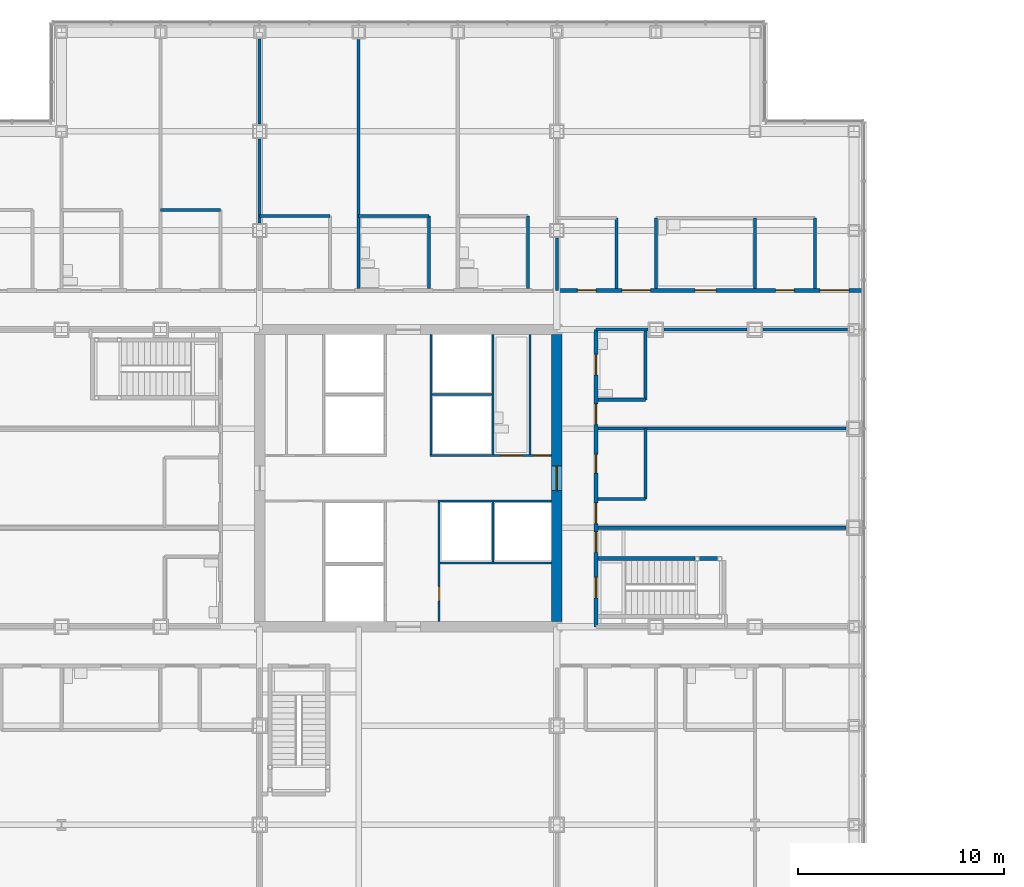
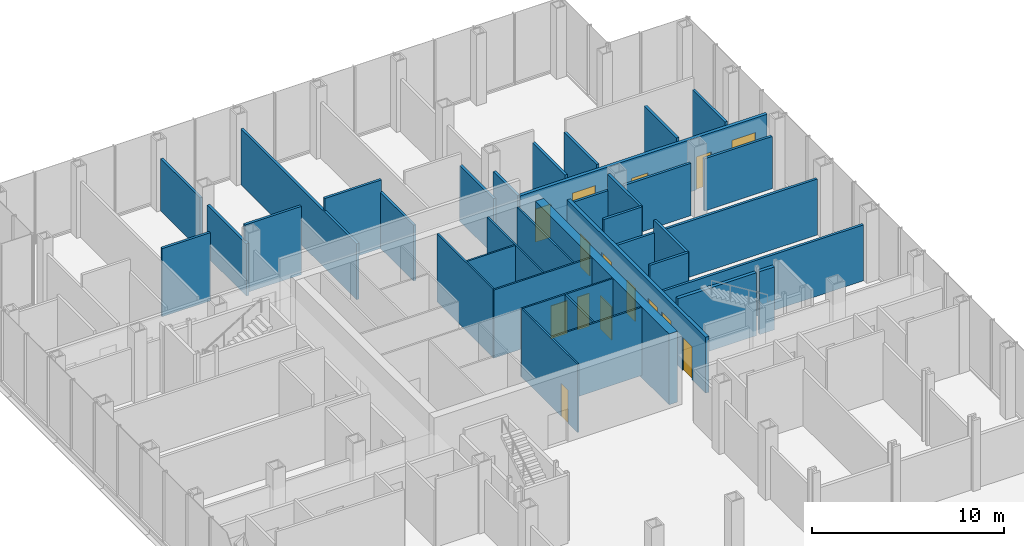
# One storey, part 22 of 25: 36 walls, 15 doors, 15 openings.
"""IFC4 building model written with IfcOpenShell, lengths in metres."""

from ifc_helpers import new_model, si_unit, direction, frame, frame_2d, origin, place, context, subcontext, project, spatial, rectangle, extrude, material, layer, layer_set, type_object, element, fill, save


model = new_model("IFC4")

# Units and contexts
model_context = context("Model", 3, precision=1e-05, world=origin(), true_north=direction((0.0, 1.0)))
body_context = subcontext(model_context, "Body", "Model", "MODEL_VIEW")
ifc_project = project(units=[si_unit("LENGTHUNIT", "METRE"), si_unit("AREAUNIT", "SQUARE_METRE"), si_unit("VOLUMEUNIT", "CUBIC_METRE"), si_unit("PLANEANGLEUNIT", "RADIAN"), si_unit("MASSUNIT", "GRAM", prefix="KILO")], contexts=[model_context])

# Site, building, storey
site_placement = place(None, origin())
site = spatial("IfcSite", under=ifc_project, at=site_placement, CompositionType="ELEMENT")
building_placement = place(site_placement, origin())
building = spatial("IfcBuilding", under=site, at=building_placement, Name="Kvirike Care Tower", CompositionType="ELEMENT")
storey_placement = place(building_placement, frame((0.0, 0.0, 9.0)))
storey = spatial("IfcBuildingStorey", under=building, at=storey_placement, Name="L02", CompositionType="ELEMENT", Elevation=9.0)

# Walls
ifc_material_1 = material(Name="Plasterboard partition", Category="gypsum")
ifc_layer_1 = layer(ifc_material_1, 0.14990234375)
ifc_layer_set_1 = layer_set([ifc_layer_1], Name="CLINIC PARTITION 150")
wall_type_1 = type_object("IfcWallType", Name="CLINIC PARTITION 150", PredefinedType="PARTITIONING", material=ifc_layer_set_1)
wall_1_placement = place(storey_placement, frame((12.5, 49.0, 0.0), z_axis=(0.0, 0.0, 1.0), x_axis=(-1.0, 0.0, 0.0)))
element("IfcWall", 1, at=wall_1_placement, inside=storey, type_object=wall_type_1, Name="Clinic Partition 150 L02", PredefinedType="PARTITIONING", context=body_context, shape_type="SweptSolid", body=[
    extrude(rectangle(XDim=2.89990234375, YDim=0.14990234375, at=frame_2d((1.449951171875, 0.0))), origin(), (0.0, 0.0, 1.0), 4.330078125),
])
for number, where, z_axis, x_axis, name in (
    (2, (27.39990234375, 48.699951171875, 0.0), (0.0, 0.0, 1.0), (0.0, -1.0, 0.0), "Clinic Partition 150 L02"),
    (3, (22.60009765625, 48.699951171875, 0.0), (0.0, 0.0, 1.0), (0.0, -1.0, 0.0), "Clinic Partition 150 L02"),
):
    element("IfcWall", number, at=place(storey_placement, frame(where, z_axis=z_axis, x_axis=x_axis)), inside=storey, type_object=wall_type_1, Name=name, PredefinedType="PARTITIONING", context=body_context, shape_type="SweptSolid", body=[
        extrude(rectangle(XDim=3.5, YDim=0.14990234375, at=frame_2d((1.75, 0.0))), origin(), (0.0, 0.0, 1.0), 3.550048828125),
    ])
for number, where, z_axis, x_axis, name in (
    (4, (22.60009765625, 48.699951171875, 0.0), (0.0, 0.0, 1.0), (-1.0, 0.0, 0.0), "Clinic Partition 150 L02"),
    (5, (17.800048828125, 48.699951171875, 0.0), (0.0, 0.0, 1.0), (-1.0, 0.0, 0.0), "Clinic Partition 150 L02"),
):
    element("IfcWall", number, at=place(storey_placement, frame(where, z_axis=z_axis, x_axis=x_axis)), inside=storey, type_object=wall_type_1, Name=name, PredefinedType="PARTITIONING", context=body_context, shape_type="SweptSolid", body=[
        extrude(rectangle(XDim=3.400146484375, YDim=0.14990234375, at=frame_2d((1.7001953125, 0.0))), origin(), (0.0, 0.0, 1.0), 4.330078125),
    ])
wall_2_placement = place(storey_placement, frame((19.199951171875, 57.2548828125, 0.0), z_axis=(0.0, 0.0, 1.0), x_axis=(0.0, -1.0, 0.0)))
element("IfcWall", 6, at=wall_2_placement, inside=storey, type_object=wall_type_1, Name="Clinic Partition 150 L02", PredefinedType="PARTITIONING", context=body_context, shape_type="SweptSolid", body=[
    extrude(rectangle(XDim=12.054931640625, YDim=0.14990234375, at=frame_2d((6.02734375, 0.0))), origin(), (0.0, 0.0, 1.0), 3.550048828125),
])
wall_3_placement = place(storey_placement, frame((33.10009765625, 35.0, 0.0), z_axis=(0.0, 0.0, 1.0), x_axis=(-1.0, 0.0, 0.0)))
element("IfcWall", 7, at=wall_3_placement, inside=storey, type_object=wall_type_1, Name="Clinic Partition 150 L02", PredefinedType="PARTITIONING", context=body_context, shape_type="SweptSolid", body=[
    extrude(rectangle(XDim=2.300048828125, YDim=0.14990234375, at=frame_2d((1.14990234375, 0.0))), origin(), (0.0, 0.0, 1.0), 4.330078125),
])
wall_4_placement = place(storey_placement, frame((33.10009765625, 35.0, 0.0), z_axis=(0.0, 0.0, 1.0), x_axis=(0.0, 1.0, 0.0)))
element("IfcWall", 8, at=wall_4_placement, inside=storey, type_object=wall_type_1, Name="Clinic Partition 150 L02", PredefinedType="PARTITIONING", context=body_context, shape_type="SweptSolid", body=[
    extrude(rectangle(XDim=3.39990234375, YDim=0.14990234375, at=frame_2d((1.699951171875, 0.0))), origin(), (0.0, 0.0, 1.0), 4.330078125),
])
wall_5_placement = place(storey_placement, frame((33.10009765625, 39.800048828125, 0.0), z_axis=(0.0, 0.0, 1.0), x_axis=(-1.0, 0.0, 0.0)))
element("IfcWall", 9, at=wall_5_placement, inside=storey, type_object=wall_type_1, Name="Clinic Partition 150 L02", PredefinedType="PARTITIONING", context=body_context, shape_type="SweptSolid", body=[
    extrude(rectangle(XDim=2.300048828125, YDim=0.14990234375, at=frame_2d((1.14990234375, 0.0))), origin(), (0.0, 0.0, 1.0), 4.330078125),
])
wall_6_placement = place(storey_placement, frame((33.10009765625, 39.800048828125, 0.0), z_axis=(0.0, 0.0, 1.0), x_axis=(0.0, 1.0, 0.0)))
element("IfcWall", 10, at=wall_6_placement, inside=storey, type_object=wall_type_1, Name="Clinic Partition 150 L02", PredefinedType="PARTITIONING", context=body_context, shape_type="SweptSolid", body=[
    extrude(rectangle(XDim=3.39990234375, YDim=0.14990234375, at=frame_2d((1.699951171875, 0.0))), origin(), (0.0, 0.0, 1.0), 4.330078125),
])
for number, where, z_axis, x_axis, name in (
    (11, (42.804931640625, 33.60009765625, 0.0), (0.0, 0.0, 1.0), (-1.0, 0.0, 0.0), "Clinic Partition 150 L02"),
    (12, (42.804931640625, 38.39990234375, 0.0), (0.0, 0.0, 1.0), (-1.0, 0.0, 0.0), "Clinic Partition 150 L02"),
):
    element("IfcWall", number, at=place(storey_placement, frame(where, z_axis=z_axis, x_axis=x_axis)), inside=storey, type_object=wall_type_1, Name=name, PredefinedType="PARTITIONING", context=body_context, shape_type="SweptSolid", body=[
        extrude(rectangle(XDim=12.0048828125, YDim=0.14990234375, at=frame_2d((6.00244140625, 0.0))), origin(), (0.0, 0.0, 1.0), 3.550048828125),
    ])
for number, where, z_axis, x_axis, name in (
    (13, (33.60009765625, 48.60009765625, 0.0), (0.0, 0.0, 1.0), (0.0, -1.0, 0.0), "Clinic Partition 150 L02"),
    (14, (41.300048828125, 48.60009765625, 0.0), (0.0, 0.0, 1.0), (0.0, -1.0, 0.0), "Clinic Partition 150 L02"),
    (15, (38.39990234375, 48.60009765625, 0.0), (0.0, 0.0, 1.0), (0.0, -1.0, 0.0), "Clinic Partition 150 L02"),
    (16, (31.699951171875, 48.60009765625, 0.0), (0.0, 0.0, 1.0), (0.0, -1.0, 0.0), "Clinic Partition 150 L02"),
):
    element("IfcWall", number, at=place(storey_placement, frame(where, z_axis=z_axis, x_axis=x_axis)), inside=storey, type_object=wall_type_1, Name=name, PredefinedType="PARTITIONING", context=body_context, shape_type="SweptSolid", body=[
        extrude(rectangle(XDim=3.400146484375, YDim=0.14990234375, at=frame_2d((1.7001953125, 0.0))), origin(), (0.0, 0.0, 1.0), 3.550048828125),
    ])
wall_7_placement = place(storey_placement, frame((14.39990234375, 48.3701171875, 0.0), z_axis=(0.0, 0.0, 1.0), x_axis=(0.0, 1.0, 0.0)))
element("IfcWall", 17, at=wall_7_placement, inside=storey, type_object=wall_type_1, Name="Clinic Partition 150 L02", PredefinedType="PARTITIONING", context=body_context, shape_type="SweptSolid", body=[
    extrude(rectangle(XDim=4.059814453125, YDim=0.14990234375, at=frame_2d((2.02978515625, 0.0))), origin(), (0.0, 0.0, 1.0), 3.320068359375),
])
wall_8_placement = place(storey_placement, frame((14.39990234375, 53.169921875, 0.0), z_axis=(0.0, 0.0, 1.0), x_axis=(0.0, 1.0, 0.0)))
element("IfcWall", 18, at=wall_8_placement, inside=storey, type_object=wall_type_1, Name="Clinic Partition 150 L02", PredefinedType="PARTITIONING", context=body_context, shape_type="SweptSolid", body=[
    extrude(rectangle(XDim=4.110107421875, YDim=0.14990234375, at=frame_2d((2.05517578125, 0.0))), origin(), (0.0, 0.0, 1.0), 3.320068359375),
])
wall_9_placement = place(storey_placement, frame((28.800048828125, 45.10009765625, 0.0), z_axis=(0.0, 0.0, 1.0), x_axis=(0.0, 1.0, 0.0)))
element("IfcWall", 19, at=wall_9_placement, inside=storey, type_object=wall_type_1, Name="Clinic Partition 150 L02", PredefinedType="PARTITIONING", context=body_context, shape_type="SweptSolid", body=[
    extrude(rectangle(XDim=2.52978515625, YDim=0.14990234375, at=frame_2d((1.264892578125, 0.0))), origin(), (0.0, 0.0, 1.0), 3.320068359375),
])
wall_10_placement = place(storey_placement, frame((42.8798828125, 43.199951171875, 0.0), z_axis=(0.0, 0.0, 1.0), x_axis=(-1.0, 0.0, 0.0)))
element("IfcWall", 20, at=wall_10_placement, inside=storey, type_object=wall_type_1, Name="Clinic Partition 150 L02", PredefinedType="PARTITIONING", context=body_context, shape_type="SweptSolid", body=[
    extrude(rectangle(XDim=4.0849609375, YDim=0.14990234375, at=frame_2d((2.04248046875, 0.0))), origin(), (0.0, 0.0, 1.0), 3.320068359375),
])
wall_11_placement = place(storey_placement, frame((38.0048828125, 43.199951171875, 0.0), z_axis=(0.0, 0.0, 1.0), x_axis=(-1.0, 0.0, 0.0)))
element("IfcWall", 21, at=wall_11_placement, inside=storey, type_object=wall_type_1, Name="Clinic Partition 150 L02", PredefinedType="PARTITIONING", context=body_context, shape_type="SweptSolid", body=[
    extrude(rectangle(XDim=4.009765625, YDim=0.14990234375, at=frame_2d((2.0048828125, 0.0))), origin(), (0.0, 0.0, 1.0), 3.320068359375),
])
wall_12_placement = place(storey_placement, frame((33.205078125, 43.199951171875, 0.0), z_axis=(0.0, 0.0, 1.0), x_axis=(-1.0, 0.0, 0.0)))
element("IfcWall", 22, at=wall_12_placement, inside=storey, type_object=wall_type_1, Name="Clinic Partition 150 L02", PredefinedType="PARTITIONING", context=body_context, shape_type="SweptSolid", body=[
    extrude(rectangle(XDim=2.505126953125, YDim=0.14990234375, at=frame_2d((1.25244140625, 0.0))), origin(), (0.0, 0.0, 1.0), 3.320068359375),
])

# Wall, opening, door
ifc_material_2 = material(Name="Concrete C60/75", Category="concrete")
ifc_layer_2 = layer(ifc_material_2, 0.5)
ifc_layer_set_2 = layer_set([ifc_layer_2], Name="CORE WALL 500 C60-75")
wall_type_2 = type_object("IfcWallType", Name="CORE WALL 500 C60-75", PredefinedType="SHEAR", material=ifc_layer_set_2)
wall_13_placement = place(storey_placement, frame((28.800048828125, 29.050048828125, -0.169921875), z_axis=(0.0, 0.0, 1.0), x_axis=(0.0, 1.0, 0.0)))
wall_13 = element("IfcWall", 23, at=wall_13_placement, inside=storey, type_object=wall_type_2, Name="Core wall E L02", PredefinedType="SHEAR", context=body_context, shape_type="SweptSolid", body=[
    extrude(rectangle(XDim=13.89990234375, YDim=0.5, at=frame_2d((6.949951171875, 0.0))), origin(), (0.0, 0.0, 1.0), 4.5),
])
opening_1_placement = place(wall_13_placement, frame((6.35009765625, 0.0, 0.169921875)))
opening_1 = element("IfcOpeningElement", 24, at=opening_1_placement, cuts=wall_13, Name="Opening 02-059", PredefinedType="OPENING", context=body_context, shape_type="SweptSolid", body=[
    extrude(rectangle(XDim=1.199951171875, YDim=2.10009765625, at=frame_2d((0.60009765625, 1.050048828125))), frame((0.0, 0.260498046875, 0.0), z_axis=(0.0, -1.0, 0.0), x_axis=(1.0, 0.0, 0.0)), (0.0, 0.0, 1.0), 0.52099609375),
])
ifc_material_3 = material(Name="Timber door set", Category="wood")
door_type_1 = type_object("IfcDoorType", Name="CORE DOOR 1200", OperationType="SINGLE_SWING_LEFT", PredefinedType="DOOR", material=ifc_material_3)
door_1_placement = place(opening_1_placement, origin())
door_1 = element("IfcDoor", 25, at=door_1_placement, inside=storey, type_object=door_type_1, Name="Core door E L02", OperationType="SINGLE_SWING_LEFT", OverallHeight=2.10009765625, OverallWidth=1.199951171875, PredefinedType="DOOR", context=body_context, shape_type="SweptSolid", body=[
    extrude(rectangle(XDim=1.199951171875, YDim=2.10009765625, at=frame_2d((0.60009765625, 1.050048828125))), frame((0.0, 0.02685546875, 0.0), z_axis=(0.0, -1.0, 0.0), x_axis=(1.0, 0.0, 0.0)), (0.0, 0.0, 1.0), 0.053955078125),
])
fill(opening_1, door_1)

# Wall, openings, doors
ifc_material_4 = material(Name="Plasterboard corridor wall", Category="gypsum")
ifc_layer_3 = layer(ifc_material_4, 0.199951171875)
ifc_layer_set_3 = layer_set([ifc_layer_3], Name="CORRIDOR WALL 200")
wall_type_3 = type_object("IfcWallType", Name="CORRIDOR WALL 200", PredefinedType="PARTITIONING", material=ifc_layer_set_3)
wall_14_placement = place(storey_placement, frame((30.699951171875, 28.800048828125, 0.0), z_axis=(0.0, 0.0, 1.0), x_axis=(0.0, 1.0, 0.0)))
wall_14 = element("IfcWall", 26, at=wall_14_placement, inside=storey, type_object=wall_type_3, Name="Corridor Wall 200 L02", PredefinedType="PARTITIONING", context=body_context, shape_type="SweptSolid", body=[
    extrude(rectangle(XDim=14.39990234375, YDim=0.199951171875, at=frame_2d((7.199951171875, 0.0))), origin(), (0.0, 0.0, 1.0), 3.550048828125),
])
opening_2_placement = place(wall_14_placement, frame((1.39990234375, 0.0, 0.0)))
opening_2 = element("IfcOpeningElement", 27, at=opening_2_placement, cuts=wall_14, Name="Opening 02-031", PredefinedType="OPENING", context=body_context, shape_type="SweptSolid", body=[
    extrude(rectangle(XDim=1.0, YDim=2.10009765625, at=frame_2d((0.5, 1.050048828125))), frame((0.0, 0.110595703125, 0.0), z_axis=(0.0, -1.0, 0.0), x_axis=(1.0, 0.0, 0.0)), (0.0, 0.0, 1.0), 0.220947265625),
])
opening_3_placement = place(wall_14_placement, frame((3.60009765625, 0.0, 0.0)))
opening_3 = element("IfcOpeningElement", 28, at=opening_3_placement, cuts=wall_14, Name="Opening 02-032", PredefinedType="OPENING", context=body_context, shape_type="SweptSolid", body=[
    extrude(rectangle(XDim=1.0, YDim=2.39990234375, at=frame_2d((0.5, 1.199951171875))), frame((0.0, 0.110595703125, 0.0), z_axis=(0.0, -1.0, 0.0), x_axis=(1.0, 0.0, 0.0)), (0.0, 0.0, 1.0), 0.220947265625),
])
opening_4_placement = place(wall_14_placement, frame((5.0, 0.0, 0.0)))
opening_4 = element("IfcOpeningElement", 29, at=opening_4_placement, cuts=wall_14, Name="Opening 02-033", PredefinedType="OPENING", context=body_context, shape_type="SweptSolid", body=[
    extrude(rectangle(XDim=1.0, YDim=2.39990234375, at=frame_2d((0.5, 1.199951171875))), frame((0.0, 0.110595703125, 0.0), z_axis=(0.0, -1.0, 0.0), x_axis=(1.0, 0.0, 0.0)), (0.0, 0.0, 1.0), 0.220947265625),
])
opening_5_placement = place(wall_14_placement, frame((9.800048828125, 0.0, 0.0)))
opening_5 = element("IfcOpeningElement", 30, at=opening_5_placement, cuts=wall_14, Name="Opening 02-034", PredefinedType="OPENING", context=body_context, shape_type="SweptSolid", body=[
    extrude(rectangle(XDim=1.0, YDim=2.39990234375, at=frame_2d((0.5, 1.199951171875))), frame((0.0, 0.110595703125, 0.0), z_axis=(0.0, -1.0, 0.0), x_axis=(1.0, 0.0, 0.0)), (0.0, 0.0, 1.0), 0.220947265625),
])
opening_6_placement = place(wall_14_placement, frame((7.449951171875, 0.0, 0.0)))
opening_6 = element("IfcOpeningElement", 31, at=opening_6_placement, cuts=wall_14, Name="Opening 02-035", PredefinedType="OPENING", context=body_context, shape_type="SweptSolid", body=[
    extrude(rectangle(XDim=0.89990234375, YDim=2.10009765625, at=frame_2d((0.449951171875, 1.050048828125))), frame((0.0, 0.110595703125, 0.0), z_axis=(0.0, -1.0, 0.0), x_axis=(1.0, 0.0, 0.0)), (0.0, 0.0, 1.0), 0.220947265625),
])
opening_7_placement = place(wall_14_placement, frame((12.199951171875, 0.0, 0.0)))
opening_7 = element("IfcOpeningElement", 32, at=opening_7_placement, cuts=wall_14, Name="Opening 02-036", PredefinedType="OPENING", context=body_context, shape_type="SweptSolid", body=[
    extrude(rectangle(XDim=1.0, YDim=2.10009765625, at=frame_2d((0.5, 1.050048828125))), frame((0.0, 0.110595703125, 0.0), z_axis=(0.0, -1.0, 0.0), x_axis=(1.0, 0.0, 0.0)), (0.0, 0.0, 1.0), 0.220947265625),
])
ifc_material_5 = material(Name="Timber door set", Category="wood")
door_type_2 = type_object("IfcDoorType", Name="CONSULTING ROOM DOOR 1000", OperationType="SINGLE_SWING_LEFT", PredefinedType="DOOR", material=ifc_material_5)
door_2_placement = place(opening_3_placement, frame((1.0, 0.0, 0.0), z_axis=(0.0, 0.0, 1.0), x_axis=(-1.0, 0.0, 0.0)))
door_2 = element("IfcDoor", 33, at=door_2_placement, inside=storey, type_object=door_type_2, Name="Gait analysis room door", OperationType="SINGLE_SWING_LEFT", OverallHeight=2.39990234375, OverallWidth=1.0, PredefinedType="DOOR", context=body_context, shape_type="SweptSolid", body=[
    extrude(rectangle(XDim=1.0, YDim=2.39990234375, at=frame_2d((0.5, 1.199951171875))), frame((0.0, 0.02685546875, 0.0), z_axis=(0.0, -1.0, 0.0), x_axis=(1.0, 0.0, 0.0)), (0.0, 0.0, 1.0), 0.053955078125),
])
fill(opening_3, door_2)
door_3_placement = place(opening_4_placement, frame((1.0, 0.0, 0.0), z_axis=(0.0, 0.0, 1.0), x_axis=(-1.0, 0.0, 0.0)))
door_3 = element("IfcDoor", 34, at=door_3_placement, inside=storey, type_object=door_type_2, Name="Therapy office door", OperationType="SINGLE_SWING_RIGHT", OverallHeight=2.39990234375, OverallWidth=1.0, PredefinedType="DOOR", context=body_context, shape_type="SweptSolid", body=[
    extrude(rectangle(XDim=1.0, YDim=2.39990234375, at=frame_2d((0.5, 1.199951171875))), frame((0.0, 0.02685546875, 0.0), z_axis=(0.0, -1.0, 0.0), x_axis=(1.0, 0.0, 0.0)), (0.0, 0.0, 1.0), 0.053955078125),
])
fill(opening_4, door_3)
door_4_placement = place(opening_5_placement, frame((1.0, 0.0, 0.0), z_axis=(0.0, 0.0, 1.0), x_axis=(-1.0, 0.0, 0.0)))
door_4 = element("IfcDoor", 35, at=door_4_placement, inside=storey, type_object=door_type_2, Name="Therapy office door", OperationType="SINGLE_SWING_RIGHT", OverallHeight=2.39990234375, OverallWidth=1.0, PredefinedType="DOOR", context=body_context, shape_type="SweptSolid", body=[
    extrude(rectangle(XDim=1.0, YDim=2.39990234375, at=frame_2d((0.5, 1.199951171875))), frame((0.0, 0.02685546875, 0.0), z_axis=(0.0, -1.0, 0.0), x_axis=(1.0, 0.0, 0.0)), (0.0, 0.0, 1.0), 0.053955078125),
])
fill(opening_5, door_4)
ifc_material_6 = material(Name="Timber door set", Category="wood")
door_type_3 = type_object("IfcDoorType", Name="STAIR DOOR 1000", OperationType="SINGLE_SWING_LEFT", PredefinedType="DOOR", material=ifc_material_6)
door_5_placement = place(opening_2_placement, frame((1.0, 0.0, 0.0), z_axis=(0.0, 0.0, 1.0), x_axis=(-1.0, 0.0, 0.0)))
door_5 = element("IfcDoor", 36, at=door_5_placement, inside=storey, type_object=door_type_3, Name="Stair 2 door", OperationType="SINGLE_SWING_RIGHT", OverallHeight=2.10009765625, OverallWidth=1.0, PredefinedType="DOOR", context=body_context, shape_type="SweptSolid", body=[
    extrude(rectangle(XDim=1.0, YDim=2.10009765625, at=frame_2d((0.5, 1.050048828125))), frame((0.0, 0.031982421875, 0.0), z_axis=(0.0, -1.0, 0.0), x_axis=(1.0, 0.0, 0.0)), (0.0, 0.0, 1.0), 0.06396484375),
])
fill(opening_2, door_5)
ifc_material_7 = material(Name="Timber door set", Category="wood")
door_type_4 = type_object("IfcDoorType", Name="STORE DOOR 900", OperationType="SINGLE_SWING_LEFT", PredefinedType="DOOR", material=ifc_material_7)
door_6_placement = place(opening_6_placement, frame((0.89990234375, 0.0, 0.0), z_axis=(0.0, 0.0, 1.0), x_axis=(-1.0, 0.0, 0.0)))
door_6 = element("IfcDoor", 37, at=door_6_placement, inside=storey, type_object=door_type_4, Name="Store door", OperationType="SINGLE_SWING_LEFT", OverallHeight=2.10009765625, OverallWidth=0.89990234375, PredefinedType="DOOR", context=body_context, shape_type="SweptSolid", body=[
    extrude(rectangle(XDim=0.89990234375, YDim=2.10009765625, at=frame_2d((0.449951171875, 1.050048828125))), frame((0.0, 0.02685546875, 0.0), z_axis=(0.0, -1.0, 0.0), x_axis=(1.0, 0.0, 0.0)), (0.0, 0.0, 1.0), 0.053955078125),
])
fill(opening_6, door_6)
ifc_material_8 = material(Name="Timber door set", Category="wood")
door_type_5 = type_object("IfcDoorType", Name="WC DOOR 1000", OperationType="SINGLE_SWING_LEFT", PredefinedType="DOOR", material=ifc_material_8)
door_7_placement = place(opening_7_placement, frame((1.0, 0.0, 0.0), z_axis=(0.0, 0.0, 1.0), x_axis=(-1.0, 0.0, 0.0)))
door_7 = element("IfcDoor", 38, at=door_7_placement, inside=storey, type_object=door_type_5, Name="Staff WC door", OperationType="SINGLE_SWING_LEFT", OverallHeight=2.10009765625, OverallWidth=1.0, PredefinedType="DOOR", context=body_context, shape_type="SweptSolid", body=[
    extrude(rectangle(XDim=1.0, YDim=2.10009765625, at=frame_2d((0.5, 1.050048828125))), frame((0.0, 0.02685546875, 0.0), z_axis=(0.0, -1.0, 0.0), x_axis=(1.0, 0.0, 0.0)), (0.0, 0.0, 1.0), 0.053955078125),
])
fill(opening_7, door_7)

wall_15_placement = place(storey_placement, frame((43.655029296875, 45.10009765625, 0.0), z_axis=(0.0, 0.0, 1.0), x_axis=(-1.0, 0.0, 0.0)))
wall_15 = element("IfcWall", 39, at=wall_15_placement, inside=storey, type_object=wall_type_3, Name="Corridor Wall 200 L02", PredefinedType="PARTITIONING", context=body_context, shape_type="SweptSolid", body=[
    extrude(rectangle(XDim=14.85498046875, YDim=0.199951171875, at=frame_2d((7.427490234375, 0.0))), origin(), (0.0, 0.0, 1.0), 3.320068359375),
])
opening_8_placement = place(wall_15_placement, frame((0.705078125, 0.0, 0.0)))
opening_8 = element("IfcOpeningElement", 40, at=opening_8_placement, cuts=wall_15, Name="Opening 02-037", PredefinedType="OPENING", context=body_context, shape_type="SweptSolid", body=[
    extrude(rectangle(XDim=1.39990234375, YDim=2.39990234375, at=frame_2d((0.699951171875, 1.199951171875))), frame((0.0, 0.110595703125, 0.0), z_axis=(0.0, -1.0, 0.0), x_axis=(1.0, 0.0, 0.0)), (0.0, 0.0, 1.0), 0.220947265625),
])
opening_9_placement = place(wall_15_placement, frame((10.304931640625, 0.0, 0.0)))
opening_9 = element("IfcOpeningElement", 41, at=opening_9_placement, cuts=wall_15, Name="Opening 02-038", PredefinedType="OPENING", context=body_context, shape_type="SweptSolid", body=[
    extrude(rectangle(XDim=1.39990234375, YDim=2.39990234375, at=frame_2d((0.699951171875, 1.199951171875))), frame((0.0, 0.110595703125, 0.0), z_axis=(0.0, -1.0, 0.0), x_axis=(1.0, 0.0, 0.0)), (0.0, 0.0, 1.0), 0.220947265625),
])
opening_10_placement = place(wall_15_placement, frame((3.35498046875, 0.0, 0.0)))
opening_10 = element("IfcOpeningElement", 42, at=opening_10_placement, cuts=wall_15, Name="Opening 02-039", PredefinedType="OPENING", context=body_context, shape_type="SweptSolid", body=[
    extrude(rectangle(XDim=0.89990234375, YDim=2.10009765625, at=frame_2d((0.449951171875, 1.050048828125))), frame((0.0, 0.110595703125, 0.0), z_axis=(0.0, -1.0, 0.0), x_axis=(1.0, 0.0, 0.0)), (0.0, 0.0, 1.0), 0.220947265625),
])
opening_11_placement = place(wall_15_placement, frame((7.155029296875, 0.0, 0.0)))
opening_11 = element("IfcOpeningElement", 43, at=opening_11_placement, cuts=wall_15, Name="Opening 02-040", PredefinedType="OPENING", context=body_context, shape_type="SweptSolid", body=[
    extrude(rectangle(XDim=1.0, YDim=2.10009765625, at=frame_2d((0.5, 1.050048828125))), frame((0.0, 0.110595703125, 0.0), z_axis=(0.0, -1.0, 0.0), x_axis=(1.0, 0.0, 0.0)), (0.0, 0.0, 1.0), 0.220947265625),
])
opening_12_placement = place(wall_15_placement, frame((12.955078125, 0.0, 0.0)))
opening_12 = element("IfcOpeningElement", 44, at=opening_12_placement, cuts=wall_15, Name="Opening 02-041", PredefinedType="OPENING", context=body_context, shape_type="SweptSolid", body=[
    extrude(rectangle(XDim=0.89990234375, YDim=2.10009765625, at=frame_2d((0.449951171875, 1.050048828125))), frame((0.0, 0.110595703125, 0.0), z_axis=(0.0, -1.0, 0.0), x_axis=(1.0, 0.0, 0.0)), (0.0, 0.0, 1.0), 0.220947265625),
])
door_8_placement = place(opening_10_placement, frame((0.89990234375, 0.0, 0.0), z_axis=(0.0, 0.0, 1.0), x_axis=(-1.0, 0.0, 0.0)))
door_8 = element("IfcDoor", 45, at=door_8_placement, inside=storey, type_object=door_type_4, Name="Store door", OperationType="SINGLE_SWING_LEFT", OverallHeight=2.10009765625, OverallWidth=0.89990234375, PredefinedType="DOOR", context=body_context, shape_type="SweptSolid", body=[
    extrude(rectangle(XDim=0.89990234375, YDim=2.10009765625, at=frame_2d((0.449951171875, 1.050048828125))), frame((0.0, 0.02685546875, 0.0), z_axis=(0.0, -1.0, 0.0), x_axis=(1.0, 0.0, 0.0)), (0.0, 0.0, 1.0), 0.053955078125),
])
fill(opening_10, door_8)
door_9_placement = place(opening_12_placement, frame((0.89990234375, 0.0, 0.0), z_axis=(0.0, 0.0, 1.0), x_axis=(-1.0, 0.0, 0.0)))
door_9 = element("IfcDoor", 46, at=door_9_placement, inside=storey, type_object=door_type_4, Name="Store door", OperationType="SINGLE_SWING_LEFT", OverallHeight=2.10009765625, OverallWidth=0.89990234375, PredefinedType="DOOR", context=body_context, shape_type="SweptSolid", body=[
    extrude(rectangle(XDim=0.89990234375, YDim=2.10009765625, at=frame_2d((0.449951171875, 1.050048828125))), frame((0.0, 0.02685546875, 0.0), z_axis=(0.0, -1.0, 0.0), x_axis=(1.0, 0.0, 0.0)), (0.0, 0.0, 1.0), 0.053955078125),
])
fill(opening_12, door_9)
ifc_material_9 = material(Name="Timber door set", Category="wood")
door_type_6 = type_object("IfcDoorType", Name="TREATMENT ROOM DOOR 1400", OperationType="DOUBLE_DOOR_SINGLE_SWING", PredefinedType="DOOR", material=ifc_material_9)
door_10_placement = place(opening_8_placement, frame((1.39990234375, 0.0, 0.0), z_axis=(0.0, 0.0, 1.0), x_axis=(-1.0, 0.0, 0.0)))
door_10 = element("IfcDoor", 47, at=door_10_placement, inside=storey, type_object=door_type_6, Name="Hydrotherapy pool hall door", OperationType="DOUBLE_DOOR_SINGLE_SWING", OverallHeight=2.39990234375, OverallWidth=1.39990234375, PredefinedType="DOOR", context=body_context, shape_type="SweptSolid", body=[
    extrude(rectangle(XDim=1.39990234375, YDim=2.39990234375, at=frame_2d((0.699951171875, 1.199951171875))), frame((0.0, 0.02685546875, 0.0), z_axis=(0.0, -1.0, 0.0), x_axis=(1.0, 0.0, 0.0)), (0.0, 0.0, 1.0), 0.053955078125),
])
fill(opening_8, door_10)
door_11_placement = place(opening_9_placement, frame((1.39990234375, 0.0, 0.0), z_axis=(0.0, 0.0, 1.0), x_axis=(-1.0, 0.0, 0.0)))
door_11 = element("IfcDoor", 48, at=door_11_placement, inside=storey, type_object=door_type_6, Name="Hydrotherapy pool hall door", OperationType="DOUBLE_DOOR_SINGLE_SWING", OverallHeight=2.39990234375, OverallWidth=1.39990234375, PredefinedType="DOOR", context=body_context, shape_type="SweptSolid", body=[
    extrude(rectangle(XDim=1.39990234375, YDim=2.39990234375, at=frame_2d((0.699951171875, 1.199951171875))), frame((0.0, 0.02685546875, 0.0), z_axis=(0.0, -1.0, 0.0), x_axis=(1.0, 0.0, 0.0)), (0.0, 0.0, 1.0), 0.053955078125),
])
fill(opening_9, door_11)
door_12_placement = place(opening_11_placement, frame((1.0, 0.0, 0.0), z_axis=(0.0, 0.0, 1.0), x_axis=(-1.0, 0.0, 0.0)))
door_12 = element("IfcDoor", 49, at=door_12_placement, inside=storey, type_object=door_type_5, Name="Accessible WC door", OperationType="SINGLE_SWING_LEFT", OverallHeight=2.10009765625, OverallWidth=1.0, PredefinedType="DOOR", context=body_context, shape_type="SweptSolid", body=[
    extrude(rectangle(XDim=1.0, YDim=2.10009765625, at=frame_2d((0.5, 1.050048828125))), frame((0.0, 0.02685546875, 0.0), z_axis=(0.0, -1.0, 0.0), x_axis=(1.0, 0.0, 0.0)), (0.0, 0.0, 1.0), 0.053955078125),
])
fill(opening_11, door_12)

# Walls
ifc_material_10 = material(Name="Gypsum shaft wall system", Category="gypsum")
ifc_layer_4 = layer(ifc_material_10, 0.10009765625)
ifc_layer_set_4 = layer_set([ifc_layer_4], Name="SHAFT WALL 100")
wall_type_4 = type_object("IfcWallType", Name="SHAFT WALL 100", PredefinedType="SOLIDWALL", material=ifc_layer_set_4)
for number, where, z_axis, x_axis, name in (
    (50, (27.5, 37.14990234375, 0.0), (0.0, 0.0, 1.0), (0.0, 1.0, 0.0), "Shaft Wall 100 L02"),
    (51, (22.699951171875, 37.14990234375, 0.0), (0.0, 0.0, 1.0), (0.0, 1.0, 0.0), "Shaft Wall 100 L02"),
):
    element("IfcWall", number, at=place(storey_placement, frame(where, z_axis=z_axis, x_axis=x_axis)), inside=storey, type_object=wall_type_4, Name=name, PredefinedType="SOLIDWALL", context=body_context, shape_type="SweptSolid", body=[
        extrude(rectangle(XDim=5.800048828125, YDim=0.10009765625, at=frame_2d((2.89990234375, 0.0))), origin(), (0.0, 0.0, 1.0), 4.330078125),
    ])

# Wall, opening, door
wall_16_placement = place(storey_placement, frame((23.10009765625, 29.050048828125, 0.0), z_axis=(0.0, 0.0, 1.0), x_axis=(0.0, 1.0, 0.0)))
wall_16 = element("IfcWall", 52, at=wall_16_placement, inside=storey, type_object=wall_type_4, Name="Shaft Wall 100 L02", PredefinedType="SOLIDWALL", context=body_context, shape_type="SweptSolid", body=[
    extrude(rectangle(XDim=5.800048828125, YDim=0.10009765625, at=frame_2d((2.89990234375, 0.0))), origin(), (0.0, 0.0, 1.0), 4.330078125),
])
opening_13_placement = place(wall_16_placement, frame((1.0, 0.0, 0.0)))
opening_13 = element("IfcOpeningElement", 53, at=opening_13_placement, cuts=wall_16, Name="Opening 02-050", PredefinedType="OPENING", context=body_context, shape_type="SweptSolid", body=[
    extrude(rectangle(XDim=0.699951171875, YDim=2.10009765625, at=frame_2d((0.35009765625, 1.050048828125))), frame((0.0, 0.060546875, 0.0), z_axis=(0.0, -1.0, 0.0), x_axis=(1.0, 0.0, 0.0)), (0.0, 0.0, 1.0), 0.12109375),
])
ifc_material_11 = material(Name="Timber door set", Category="wood")
door_type_7 = type_object("IfcDoorType", Name="RISER DOOR 700", OperationType="SINGLE_SWING_LEFT", PredefinedType="DOOR", material=ifc_material_11)
door_13_placement = place(opening_13_placement, origin())
door_13 = element("IfcDoor", 54, at=door_13_placement, inside=storey, type_object=door_type_7, Name="Riser door", OperationType="SINGLE_SWING_RIGHT", OverallHeight=2.10009765625, OverallWidth=0.699951171875, PredefinedType="DOOR", context=body_context, shape_type="SweptSolid", body=[
    extrude(rectangle(XDim=0.699951171875, YDim=2.10009765625, at=frame_2d((0.35009765625, 1.050048828125))), frame((0.0, 0.02685546875, 0.0), z_axis=(0.0, -1.0, 0.0), x_axis=(1.0, 0.0, 0.0)), (0.0, 0.0, 1.0), 0.053955078125),
])
fill(opening_13, door_13)

# Wall
wall_17_placement = place(storey_placement, frame((23.050048828125, 34.89990234375, 0.0), z_axis=(0.0, 0.0, 1.0), x_axis=(1.0, 0.0, 0.0)))
element("IfcWall", 55, at=wall_17_placement, inside=storey, type_object=wall_type_4, Name="Shaft Wall 100 L02", PredefinedType="SOLIDWALL", context=body_context, shape_type="SweptSolid", body=[
    extrude(rectangle(XDim=5.5, YDim=0.10009765625, at=frame_2d((2.75, 0.0))), origin(), (0.0, 0.0, 1.0), 4.330078125),
])

# Wall, openings, doors
wall_18_placement = place(storey_placement, frame((22.64990234375, 37.10009765625, 0.0), z_axis=(0.0, 0.0, 1.0), x_axis=(1.0, 0.0, 0.0)))
wall_18 = element("IfcWall", 56, at=wall_18_placement, inside=storey, type_object=wall_type_4, Name="Shaft Wall 100 L02", PredefinedType="SOLIDWALL", context=body_context, shape_type="SweptSolid", body=[
    extrude(rectangle(XDim=5.900146484375, YDim=0.10009765625, at=frame_2d((2.9501953125, 0.0))), origin(), (0.0, 0.0, 1.0), 4.330078125),
])
opening_14_placement = place(wall_18_placement, frame((3.449951171875, 0.0, 0.0)))
opening_14 = element("IfcOpeningElement", 57, at=opening_14_placement, cuts=wall_18, Name="Opening 02-054", PredefinedType="OPENING", context=body_context, shape_type="SweptSolid", body=[
    extrude(rectangle(XDim=1.0, YDim=2.10009765625, at=frame_2d((0.5, 1.050048828125))), frame((0.0, 0.060546875, 0.0), z_axis=(0.0, -1.0, 0.0), x_axis=(1.0, 0.0, 0.0)), (0.0, 0.0, 1.0), 0.12109375),
])
opening_15_placement = place(wall_18_placement, frame((5.050048828125, 0.0, 0.0)))
opening_15 = element("IfcOpeningElement", 58, at=opening_15_placement, cuts=wall_18, Name="Opening 02-055", PredefinedType="OPENING", context=body_context, shape_type="SweptSolid", body=[
    extrude(rectangle(XDim=0.699951171875, YDim=2.10009765625, at=frame_2d((0.35009765625, 1.050048828125))), frame((0.0, 0.060546875, 0.0), z_axis=(0.0, -1.0, 0.0), x_axis=(1.0, 0.0, 0.0)), (0.0, 0.0, 1.0), 0.12109375),
])
door_14_placement = place(opening_15_placement, origin())
door_14 = element("IfcDoor", 59, at=door_14_placement, inside=storey, type_object=door_type_7, Name="Riser door", OperationType="SINGLE_SWING_RIGHT", OverallHeight=2.10009765625, OverallWidth=0.699951171875, PredefinedType="DOOR", context=body_context, shape_type="SweptSolid", body=[
    extrude(rectangle(XDim=0.699951171875, YDim=2.10009765625, at=frame_2d((0.35009765625, 1.050048828125))), frame((0.0, 0.02685546875, 0.0), z_axis=(0.0, -1.0, 0.0), x_axis=(1.0, 0.0, 0.0)), (0.0, 0.0, 1.0), 0.053955078125),
])
fill(opening_15, door_14)
door_15_placement = place(opening_14_placement, origin())
door_15 = element("IfcDoor", 60, at=door_15_placement, inside=storey, type_object=door_type_5, Name="Staff WC door", OperationType="SINGLE_SWING_RIGHT", OverallHeight=2.10009765625, OverallWidth=1.0, PredefinedType="DOOR", context=body_context, shape_type="SweptSolid", body=[
    extrude(rectangle(XDim=1.0, YDim=2.10009765625, at=frame_2d((0.5, 1.050048828125))), frame((0.0, 0.02685546875, 0.0), z_axis=(0.0, -1.0, 0.0), x_axis=(1.0, 0.0, 0.0)), (0.0, 0.0, 1.0), 0.053955078125),
])
fill(opening_14, door_15)

# Walls
wall_19_placement = place(storey_placement, frame((22.75, 40.050048828125, 0.0), z_axis=(0.0, 0.0, 1.0), x_axis=(1.0, 0.0, 0.0)))
element("IfcWall", 61, at=wall_19_placement, inside=storey, type_object=wall_type_4, Name="Shaft Wall 100 L02", PredefinedType="SOLIDWALL", context=body_context, shape_type="SweptSolid", body=[
    extrude(rectangle(XDim=2.89990234375, YDim=0.10009765625, at=frame_2d((1.449951171875, 0.0))), origin(), (0.0, 0.0, 1.0), 4.330078125),
])
wall_20_placement = place(storey_placement, frame((25.699951171875, 37.14990234375, 0.0), z_axis=(0.0, 0.0, 1.0), x_axis=(0.0, 1.0, 0.0)))
element("IfcWall", 62, at=wall_20_placement, inside=storey, type_object=wall_type_4, Name="Shaft Wall 100 L02", PredefinedType="SOLIDWALL", context=body_context, shape_type="SweptSolid", body=[
    extrude(rectangle(XDim=5.800048828125, YDim=0.10009765625, at=frame_2d((2.89990234375, 0.0))), origin(), (0.0, 0.0, 1.0), 4.330078125),
])
wall_21_placement = place(storey_placement, frame((25.699951171875, 31.949951171875, 0.0), z_axis=(0.0, 0.0, 1.0), x_axis=(0.0, 1.0, 0.0)))
element("IfcWall", 63, at=wall_21_placement, inside=storey, type_object=wall_type_4, Name="Shaft Wall 100 L02", PredefinedType="SOLIDWALL", context=body_context, shape_type="SweptSolid", body=[
    extrude(rectangle(XDim=2.900146484375, YDim=0.10009765625, at=frame_2d((1.4501953125, 0.0))), origin(), (0.0, 0.0, 1.0), 4.330078125),
])
wall_22_placement = place(storey_placement, frame((23.14990234375, 31.89990234375, 0.0), z_axis=(0.0, 0.0, 1.0), x_axis=(1.0, 0.0, 0.0)))
element("IfcWall", 64, at=wall_22_placement, inside=storey, type_object=wall_type_4, Name="Shaft Wall 100 L02", PredefinedType="SOLIDWALL", context=body_context, shape_type="SweptSolid", body=[
    extrude(rectangle(XDim=5.400146484375, YDim=0.10009765625, at=frame_2d((2.7001953125, 0.0))), origin(), (0.0, 0.0, 1.0), 4.330078125),
])
ifc_material_12 = material(Name="Concrete C40/50", Category="concrete")
ifc_layer_5 = layer(ifc_material_12, 0.199951171875)
ifc_layer_set_5 = layer_set([ifc_layer_5], Name="STAIR WALL 200")
wall_type_5 = type_object("IfcWallType", Name="STAIR WALL 200", PredefinedType="SOLIDWALL", material=ifc_layer_set_5)
wall_23_placement = place(storey_placement, frame((36.60009765625, 32.10009765625, 0.0), z_axis=(0.0, 0.0, 1.0), x_axis=(-1.0, 0.0, 0.0)))
element("IfcWall", 65, at=wall_23_placement, inside=storey, type_object=wall_type_5, Name="Stair Wall 200 L02", PredefinedType="SOLIDWALL", context=body_context, shape_type="SweptSolid", body=[
    extrude(rectangle(XDim=0.900146484375, YDim=0.199951171875, at=frame_2d((0.4501953125, 0.0))), origin(), (0.0, 0.0, 1.0), 3.989990234375),
])
wall_24_placement = place(storey_placement, frame((35.5, 32.10009765625, 0.0), z_axis=(0.0, 0.0, 1.0), x_axis=(-1.0, 0.0, 0.0)))
element("IfcWall", 66, at=wall_24_placement, inside=storey, type_object=wall_type_5, Name="Stair Wall 200 L02", PredefinedType="SOLIDWALL", context=body_context, shape_type="SweptSolid", body=[
    extrude(rectangle(XDim=4.699951171875, YDim=0.199951171875, at=frame_2d((2.35009765625, 0.0))), origin(), (0.0, 0.0, 1.0), 3.989990234375),
])

save(model, "model.ifc")
